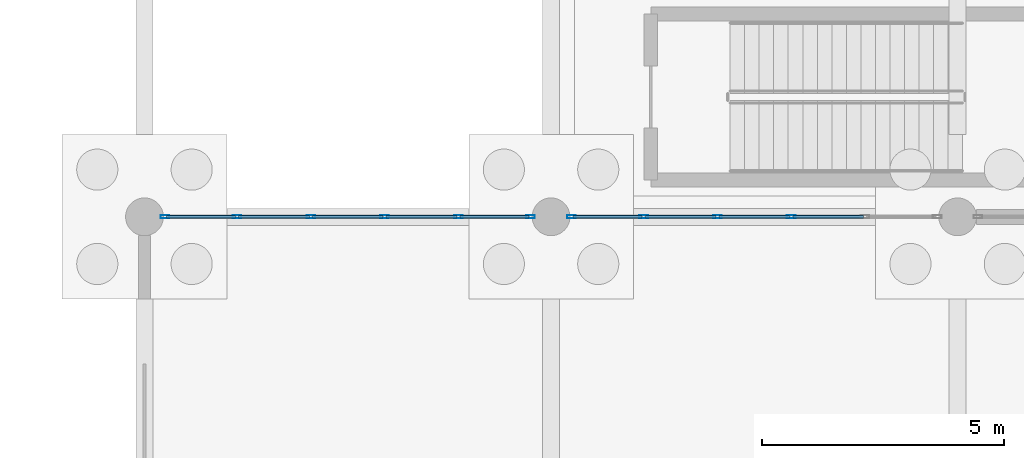
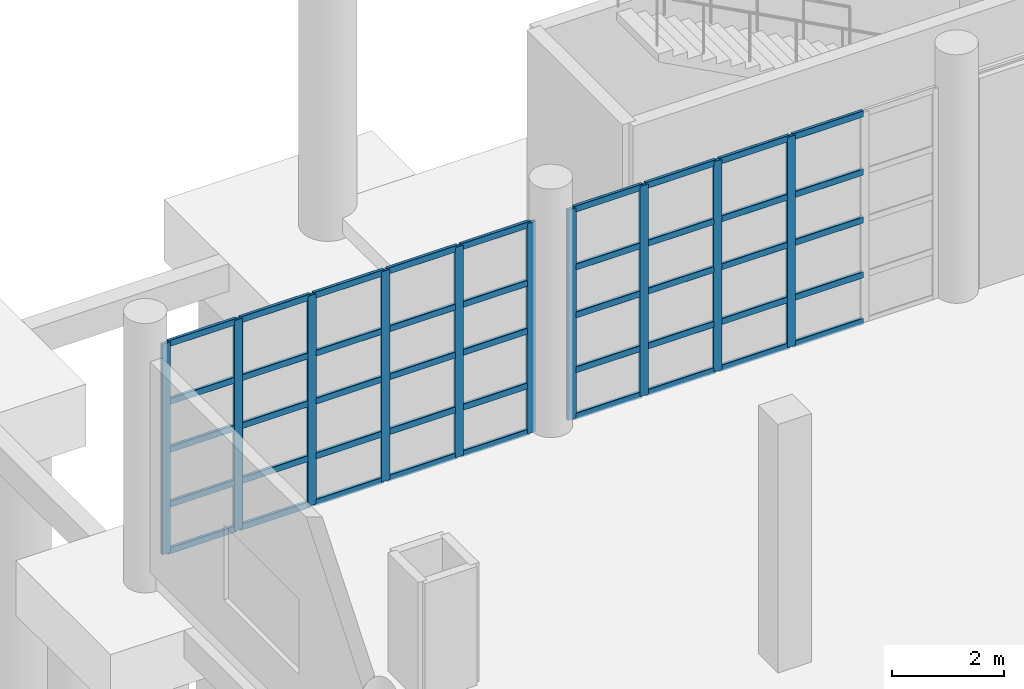
# One storey, part 34 of 83: 55 members, 2 elements without a shape of their own.
"""IFC4 building model written with IfcOpenShell, lengths in metres."""

from ifc_helpers import new_model, si_unit, direction, frame, origin, origin_2d, place, context, subcontext, project, spatial, hollow_rectangle, extrude, material, layer, layer_set, material_profile, profile_set, type_object, element, aggregate, save


model = new_model("IFC4")

# Units and contexts
model_context = context("Model", 3, precision=1e-05, world=origin(), true_north=direction((0.0, 1.0)))
body_context = subcontext(model_context, "Body", "Model", "MODEL_VIEW")
ifc_project = project(units=[si_unit("LENGTHUNIT", "METRE"), si_unit("AREAUNIT", "SQUARE_METRE"), si_unit("VOLUMEUNIT", "CUBIC_METRE"), si_unit("PLANEANGLEUNIT", "RADIAN"), si_unit("MASSUNIT", "GRAM", prefix="KILO"), si_unit("THERMODYNAMICTEMPERATUREUNIT", "KELVIN"), si_unit("POWERUNIT", "WATT")], contexts=[model_context])

# Site, building, storey
site_placement = place(None, origin())
site = spatial("IfcSite", under=ifc_project, at=site_placement, CompositionType="ELEMENT")
building_placement = place(site_placement, origin())
building = spatial("IfcBuilding", under=site, at=building_placement, Name="Mavoryth Pier Ferry Terminal", CompositionType="ELEMENT")
storey_placement = place(building_placement, origin())
storey = spatial("IfcBuildingStorey", under=building, at=storey_placement, Name="L00", CompositionType="ELEMENT", Elevation=0.0)

# Curtain wall, members
ifc_material_1 = material(Name="Anodised Aluminium and Solar-Control Low-E Glass", Category="aluminium")
ifc_layer = layer(ifc_material_1, 0.159912109375, Name="Anodised Aluminium and Solar-Control Low-E Glass", Category="aluminium")
ifc_layer_set = layer_set([ifc_layer], Name="Anodised Aluminium and Solar-Control Low-E Glass - CW-Arrivals-Mod1400")
curtain_wall_type = type_object("IfcCurtainWallType", Name="CW-Arrivals-Mod1400", PredefinedType="USERDEFINED", material=ifc_layer_set)
curtain_wall_1_placement = place(storey_placement, origin())
curtain_wall_1 = element("IfcCurtainWall", 1, at=curtain_wall_1_placement, inside=storey, type_object=curtain_wall_type, Name="Curtain Wall CW-0033-051", ObjectType="UNITISED CURTAIN WALL", PredefinedType="USERDEFINED")
ifc_material_2 = material(Name="Anodised Aluminium EN AW-6063", Category="aluminium")
ifc_material_profile_1 = material_profile(ifc_material_2, hollow_rectangle(XDim=0.06494140625, YDim=0.179931640625, WallThickness=0.00390625, InnerFilletRadius=0.00390625, OuterFilletRadius=0.008056640625, at=origin_2d()), Name="AL-MULL 180x65x4", Category="aluminium")
ifc_profile_set_1 = profile_set([ifc_material_profile_1], Name="Anodised Aluminium EN AW-6063 - AL-MULL 180x65x4")
member_type_1 = type_object("IfcMemberType", Name="Mullion-Alum-180x65", PredefinedType="MULLION", material=ifc_profile_set_1)
member_1_placement = place(storey_placement, frame((58.37744140625, 106.0, 0.0), z_axis=(0.0, 0.0, 1.0), x_axis=(0.0, -1.0, 0.0)))
member_1 = element("IfcMember", 2, at=member_1_placement, type_object=member_type_1, Name="CW04 mullion 1", PredefinedType="MULLION", context=body_context, shape_type="SweptSolid", body=[
    extrude(hollow_rectangle(XDim=0.06494140625, YDim=0.179931640625, WallThickness=0.00390625, InnerFilletRadius=0.00390625, OuterFilletRadius=0.008056640625, at=origin_2d()), origin(), (0.0, 0.0, 1.0), 4.60498046875),
])
member_2_placement = place(storey_placement, frame((56.885986328125, 106.0, 0.0), z_axis=(0.0, 0.0, 1.0), x_axis=(0.0, -1.0, 0.0)))
member_2 = element("IfcMember", 3, at=member_2_placement, type_object=member_type_1, Name="CW04 mullion 2", PredefinedType="MULLION", context=body_context, shape_type="SweptSolid", body=[
    extrude(hollow_rectangle(XDim=0.06494140625, YDim=0.179931640625, WallThickness=0.00390625, InnerFilletRadius=0.00390625, OuterFilletRadius=0.008056640625, at=origin_2d()), origin(), (0.0, 0.0, 1.0), 4.60498046875),
])
member_3_placement = place(storey_placement, frame((55.362060546875, 106.0, 0.0), z_axis=(0.0, 0.0, 1.0), x_axis=(0.0, -1.0, 0.0)))
member_3 = element("IfcMember", 4, at=member_3_placement, type_object=member_type_1, Name="CW04 mullion 3", PredefinedType="MULLION", context=body_context, shape_type="SweptSolid", body=[
    extrude(hollow_rectangle(XDim=0.06494140625, YDim=0.179931640625, WallThickness=0.00390625, InnerFilletRadius=0.00390625, OuterFilletRadius=0.008056640625, at=origin_2d()), origin(), (0.0, 0.0, 1.0), 4.60498046875),
])
member_4_placement = place(storey_placement, frame((53.837890625, 106.0, 0.0), z_axis=(0.0, 0.0, 1.0), x_axis=(0.0, -1.0, 0.0)))
member_4 = element("IfcMember", 5, at=member_4_placement, type_object=member_type_1, Name="CW04 mullion 4", PredefinedType="MULLION", context=body_context, shape_type="SweptSolid", body=[
    extrude(hollow_rectangle(XDim=0.06494140625, YDim=0.179931640625, WallThickness=0.00390625, InnerFilletRadius=0.00390625, OuterFilletRadius=0.008056640625, at=origin_2d()), origin(), (0.0, 0.0, 1.0), 4.60498046875),
])
member_5_placement = place(storey_placement, frame((52.31396484375, 106.0, 0.0), z_axis=(0.0, 0.0, 1.0), x_axis=(0.0, -1.0, 0.0)))
member_5 = element("IfcMember", 6, at=member_5_placement, type_object=member_type_1, Name="CW04 mullion 5", PredefinedType="MULLION", context=body_context, shape_type="SweptSolid", body=[
    extrude(hollow_rectangle(XDim=0.06494140625, YDim=0.179931640625, WallThickness=0.00390625, InnerFilletRadius=0.00390625, OuterFilletRadius=0.008056640625, at=origin_2d()), origin(), (0.0, 0.0, 1.0), 4.60498046875),
])
member_6_placement = place(storey_placement, frame((50.822509765625, 106.0, 0.0), z_axis=(0.0, 0.0, 1.0), x_axis=(0.0, -1.0, 0.0)))
member_6 = element("IfcMember", 7, at=member_6_placement, type_object=member_type_1, Name="CW04 mullion 6", PredefinedType="MULLION", context=body_context, shape_type="SweptSolid", body=[
    extrude(hollow_rectangle(XDim=0.06494140625, YDim=0.179931640625, WallThickness=0.00390625, InnerFilletRadius=0.00390625, OuterFilletRadius=0.008056640625, at=origin_2d()), origin(), (0.0, 0.0, 1.0), 4.60498046875),
])

curtain_wall_2_placement = place(storey_placement, origin())
curtain_wall_2 = element("IfcCurtainWall", 8, at=curtain_wall_2_placement, inside=storey, type_object=curtain_wall_type, Name="Curtain Wall CW-0033-054", ObjectType="UNITISED CURTAIN WALL", PredefinedType="USERDEFINED")
member_7_placement = place(storey_placement, frame((63.761962890625, 106.0, 0.0), z_axis=(0.0, 0.0, 1.0), x_axis=(0.0, -1.0, 0.0)))
member_7 = element("IfcMember", 9, at=member_7_placement, type_object=member_type_1, Name="CW04 mullion 3", PredefinedType="MULLION", context=body_context, shape_type="SweptSolid", body=[
    extrude(hollow_rectangle(XDim=0.06494140625, YDim=0.179931640625, WallThickness=0.00390625, InnerFilletRadius=0.00390625, OuterFilletRadius=0.008056640625, at=origin_2d()), origin(), (0.0, 0.0, 1.0), 4.60498046875),
])
member_8_placement = place(storey_placement, frame((62.238037109375, 106.0, 0.0), z_axis=(0.0, 0.0, 1.0), x_axis=(0.0, -1.0, 0.0)))
member_8 = element("IfcMember", 10, at=member_8_placement, type_object=member_type_1, Name="CW04 mullion 4", PredefinedType="MULLION", context=body_context, shape_type="SweptSolid", body=[
    extrude(hollow_rectangle(XDim=0.06494140625, YDim=0.179931640625, WallThickness=0.00390625, InnerFilletRadius=0.00390625, OuterFilletRadius=0.008056640625, at=origin_2d()), origin(), (0.0, 0.0, 1.0), 4.60498046875),
])
member_9_placement = place(storey_placement, frame((60.714111328125, 106.0, 0.0), z_axis=(0.0, 0.0, 1.0), x_axis=(0.0, -1.0, 0.0)))
member_9 = element("IfcMember", 11, at=member_9_placement, type_object=member_type_1, Name="CW04 mullion 5", PredefinedType="MULLION", context=body_context, shape_type="SweptSolid", body=[
    extrude(hollow_rectangle(XDim=0.06494140625, YDim=0.179931640625, WallThickness=0.00390625, InnerFilletRadius=0.00390625, OuterFilletRadius=0.008056640625, at=origin_2d()), origin(), (0.0, 0.0, 1.0), 4.60498046875),
])
member_10_placement = place(storey_placement, frame((59.222412109375, 106.0, 0.0), z_axis=(0.0, 0.0, 1.0), x_axis=(0.0, -1.0, 0.0)))
member_10 = element("IfcMember", 12, at=member_10_placement, type_object=member_type_1, Name="CW04 mullion 6", PredefinedType="MULLION", context=body_context, shape_type="SweptSolid", body=[
    extrude(hollow_rectangle(XDim=0.06494140625, YDim=0.179931640625, WallThickness=0.00390625, InnerFilletRadius=0.00390625, OuterFilletRadius=0.008056640625, at=origin_2d()), origin(), (0.0, 0.0, 1.0), 4.60498046875),
])

# Member
ifc_material_profile_2 = material_profile(ifc_material_2, hollow_rectangle(XDim=0.06494140625, YDim=0.139892578125, WallThickness=0.00390625, InnerFilletRadius=0.00390625, OuterFilletRadius=0.008056640625, at=origin_2d()), Name="AL-TRAN 140x65x4", Category="aluminium")
ifc_profile_set_2 = profile_set([ifc_material_profile_2], Name="Anodised Aluminium EN AW-6063 - AL-TRAN 140x65x4")
member_type_2 = type_object("IfcMemberType", Name="Transom-Alum-140x65", PredefinedType="USERDEFINED", material=ifc_profile_set_2)
member_11_placement = place(storey_placement, frame((58.344970703125, 106.0, 0.032470703125), z_axis=(-1.0, 0.0, 0.0), x_axis=(0.0, -1.0, 0.0)))
member_11 = element("IfcMember", 13, at=member_11_placement, type_object=member_type_2, Name="CW04 transom 1.1", ObjectType="TRANSOM", PredefinedType="USERDEFINED", context=body_context, shape_type="SweptSolid", body=[
    extrude(hollow_rectangle(XDim=0.06494140625, YDim=0.139892578125, WallThickness=0.00390625, InnerFilletRadius=0.00390625, OuterFilletRadius=0.008056640625, at=origin_2d()), origin(), (0.0, 0.0, 1.0), 1.426513671875),
])

member_12_placement = place(storey_placement, frame((58.344970703125, 106.0, 1.050048828125), z_axis=(-1.0, 0.0, 0.0), x_axis=(0.0, -1.0, 0.0)))
member_12 = element("IfcMember", 14, at=member_12_placement, type_object=member_type_2, Name="CW04 transom 1.2", ObjectType="TRANSOM", PredefinedType="USERDEFINED", context=body_context, shape_type="SweptSolid", body=[
    extrude(hollow_rectangle(XDim=0.06494140625, YDim=0.139892578125, WallThickness=0.00390625, InnerFilletRadius=0.00390625, OuterFilletRadius=0.008056640625, at=origin_2d()), origin(), (0.0, 0.0, 1.0), 1.426513671875),
])

member_13_placement = place(storey_placement, frame((58.344970703125, 106.0, 2.25), z_axis=(-1.0, 0.0, 0.0), x_axis=(0.0, -1.0, 0.0)))
member_13 = element("IfcMember", 15, at=member_13_placement, type_object=member_type_2, Name="CW04 transom 1.3", ObjectType="TRANSOM", PredefinedType="USERDEFINED", context=body_context, shape_type="SweptSolid", body=[
    extrude(hollow_rectangle(XDim=0.06494140625, YDim=0.139892578125, WallThickness=0.00390625, InnerFilletRadius=0.00390625, OuterFilletRadius=0.008056640625, at=origin_2d()), origin(), (0.0, 0.0, 1.0), 1.426513671875),
])

member_14_placement = place(storey_placement, frame((58.344970703125, 106.0, 3.300048828125), z_axis=(-1.0, 0.0, 0.0), x_axis=(0.0, -1.0, 0.0)))
member_14 = element("IfcMember", 16, at=member_14_placement, type_object=member_type_2, Name="CW04 transom 1.4", ObjectType="TRANSOM", PredefinedType="USERDEFINED", context=body_context, shape_type="SweptSolid", body=[
    extrude(hollow_rectangle(XDim=0.06494140625, YDim=0.139892578125, WallThickness=0.00390625, InnerFilletRadius=0.00390625, OuterFilletRadius=0.008056640625, at=origin_2d()), origin(), (0.0, 0.0, 1.0), 1.426513671875),
])

member_15_placement = place(storey_placement, frame((58.344970703125, 106.0, 4.572509765625), z_axis=(-1.0, 0.0, 0.0), x_axis=(0.0, -1.0, 0.0)))
member_15 = element("IfcMember", 17, at=member_15_placement, type_object=member_type_2, Name="CW04 transom 1.5", ObjectType="TRANSOM", PredefinedType="USERDEFINED", context=body_context, shape_type="SweptSolid", body=[
    extrude(hollow_rectangle(XDim=0.06494140625, YDim=0.139892578125, WallThickness=0.00390625, InnerFilletRadius=0.00390625, OuterFilletRadius=0.008056640625, at=origin_2d()), origin(), (0.0, 0.0, 1.0), 1.426513671875),
])

member_16_placement = place(storey_placement, frame((56.853515625, 106.0, 0.032470703125), z_axis=(-1.0, 0.0, 0.0), x_axis=(0.0, -1.0, 0.0)))
member_16 = element("IfcMember", 18, at=member_16_placement, type_object=member_type_2, Name="CW04 transom 2.1", ObjectType="TRANSOM", PredefinedType="USERDEFINED", context=body_context, shape_type="SweptSolid", body=[
    extrude(hollow_rectangle(XDim=0.06494140625, YDim=0.139892578125, WallThickness=0.00390625, InnerFilletRadius=0.00390625, OuterFilletRadius=0.008056640625, at=origin_2d()), origin(), (0.0, 0.0, 1.0), 1.458984375),
])

member_17_placement = place(storey_placement, frame((56.853515625, 106.0, 1.050048828125), z_axis=(-1.0, 0.0, 0.0), x_axis=(0.0, -1.0, 0.0)))
member_17 = element("IfcMember", 19, at=member_17_placement, type_object=member_type_2, Name="CW04 transom 2.2", ObjectType="TRANSOM", PredefinedType="USERDEFINED", context=body_context, shape_type="SweptSolid", body=[
    extrude(hollow_rectangle(XDim=0.06494140625, YDim=0.139892578125, WallThickness=0.00390625, InnerFilletRadius=0.00390625, OuterFilletRadius=0.008056640625, at=origin_2d()), origin(), (0.0, 0.0, 1.0), 1.458984375),
])

member_18_placement = place(storey_placement, frame((56.853515625, 106.0, 2.25), z_axis=(-1.0, 0.0, 0.0), x_axis=(0.0, -1.0, 0.0)))
member_18 = element("IfcMember", 20, at=member_18_placement, type_object=member_type_2, Name="CW04 transom 2.3", ObjectType="TRANSOM", PredefinedType="USERDEFINED", context=body_context, shape_type="SweptSolid", body=[
    extrude(hollow_rectangle(XDim=0.06494140625, YDim=0.139892578125, WallThickness=0.00390625, InnerFilletRadius=0.00390625, OuterFilletRadius=0.008056640625, at=origin_2d()), origin(), (0.0, 0.0, 1.0), 1.458984375),
])

member_19_placement = place(storey_placement, frame((56.853515625, 106.0, 3.300048828125), z_axis=(-1.0, 0.0, 0.0), x_axis=(0.0, -1.0, 0.0)))
member_19 = element("IfcMember", 21, at=member_19_placement, type_object=member_type_2, Name="CW04 transom 2.4", ObjectType="TRANSOM", PredefinedType="USERDEFINED", context=body_context, shape_type="SweptSolid", body=[
    extrude(hollow_rectangle(XDim=0.06494140625, YDim=0.139892578125, WallThickness=0.00390625, InnerFilletRadius=0.00390625, OuterFilletRadius=0.008056640625, at=origin_2d()), origin(), (0.0, 0.0, 1.0), 1.458984375),
])

member_20_placement = place(storey_placement, frame((56.853515625, 106.0, 4.572509765625), z_axis=(-1.0, 0.0, 0.0), x_axis=(0.0, -1.0, 0.0)))
member_20 = element("IfcMember", 22, at=member_20_placement, type_object=member_type_2, Name="CW04 transom 2.5", ObjectType="TRANSOM", PredefinedType="USERDEFINED", context=body_context, shape_type="SweptSolid", body=[
    extrude(hollow_rectangle(XDim=0.06494140625, YDim=0.139892578125, WallThickness=0.00390625, InnerFilletRadius=0.00390625, OuterFilletRadius=0.008056640625, at=origin_2d()), origin(), (0.0, 0.0, 1.0), 1.458984375),
])

member_21_placement = place(storey_placement, frame((55.32958984375, 106.0, 0.032470703125), z_axis=(-1.0, 0.0, 0.0), x_axis=(0.0, -1.0, 0.0)))
member_21 = element("IfcMember", 23, at=member_21_placement, type_object=member_type_2, Name="CW04 transom 3.1", ObjectType="TRANSOM", PredefinedType="USERDEFINED", context=body_context, shape_type="SweptSolid", body=[
    extrude(hollow_rectangle(XDim=0.06494140625, YDim=0.139892578125, WallThickness=0.00390625, InnerFilletRadius=0.00390625, OuterFilletRadius=0.008056640625, at=origin_2d()), origin(), (0.0, 0.0, 1.0), 1.458984375),
])

member_22_placement = place(storey_placement, frame((55.32958984375, 106.0, 1.050048828125), z_axis=(-1.0, 0.0, 0.0), x_axis=(0.0, -1.0, 0.0)))
member_22 = element("IfcMember", 24, at=member_22_placement, type_object=member_type_2, Name="CW04 transom 3.2", ObjectType="TRANSOM", PredefinedType="USERDEFINED", context=body_context, shape_type="SweptSolid", body=[
    extrude(hollow_rectangle(XDim=0.06494140625, YDim=0.139892578125, WallThickness=0.00390625, InnerFilletRadius=0.00390625, OuterFilletRadius=0.008056640625, at=origin_2d()), origin(), (0.0, 0.0, 1.0), 1.458984375),
])

member_23_placement = place(storey_placement, frame((55.32958984375, 106.0, 2.25), z_axis=(-1.0, 0.0, 0.0), x_axis=(0.0, -1.0, 0.0)))
member_23 = element("IfcMember", 25, at=member_23_placement, type_object=member_type_2, Name="CW04 transom 3.3", ObjectType="TRANSOM", PredefinedType="USERDEFINED", context=body_context, shape_type="SweptSolid", body=[
    extrude(hollow_rectangle(XDim=0.06494140625, YDim=0.139892578125, WallThickness=0.00390625, InnerFilletRadius=0.00390625, OuterFilletRadius=0.008056640625, at=origin_2d()), origin(), (0.0, 0.0, 1.0), 1.458984375),
])

member_24_placement = place(storey_placement, frame((55.32958984375, 106.0, 3.300048828125), z_axis=(-1.0, 0.0, 0.0), x_axis=(0.0, -1.0, 0.0)))
member_24 = element("IfcMember", 26, at=member_24_placement, type_object=member_type_2, Name="CW04 transom 3.4", ObjectType="TRANSOM", PredefinedType="USERDEFINED", context=body_context, shape_type="SweptSolid", body=[
    extrude(hollow_rectangle(XDim=0.06494140625, YDim=0.139892578125, WallThickness=0.00390625, InnerFilletRadius=0.00390625, OuterFilletRadius=0.008056640625, at=origin_2d()), origin(), (0.0, 0.0, 1.0), 1.458984375),
])

member_25_placement = place(storey_placement, frame((55.32958984375, 106.0, 4.572509765625), z_axis=(-1.0, 0.0, 0.0), x_axis=(0.0, -1.0, 0.0)))
member_25 = element("IfcMember", 27, at=member_25_placement, type_object=member_type_2, Name="CW04 transom 3.5", ObjectType="TRANSOM", PredefinedType="USERDEFINED", context=body_context, shape_type="SweptSolid", body=[
    extrude(hollow_rectangle(XDim=0.06494140625, YDim=0.139892578125, WallThickness=0.00390625, InnerFilletRadius=0.00390625, OuterFilletRadius=0.008056640625, at=origin_2d()), origin(), (0.0, 0.0, 1.0), 1.458984375),
])

member_26_placement = place(storey_placement, frame((53.805419921875, 106.0, 0.032470703125), z_axis=(-1.0, 0.0, 0.0), x_axis=(0.0, -1.0, 0.0)))
member_26 = element("IfcMember", 28, at=member_26_placement, type_object=member_type_2, Name="CW04 transom 4.1", ObjectType="TRANSOM", PredefinedType="USERDEFINED", context=body_context, shape_type="SweptSolid", body=[
    extrude(hollow_rectangle(XDim=0.06494140625, YDim=0.139892578125, WallThickness=0.00390625, InnerFilletRadius=0.00390625, OuterFilletRadius=0.008056640625, at=origin_2d()), origin(), (0.0, 0.0, 1.0), 1.458984375),
])

member_27_placement = place(storey_placement, frame((53.805419921875, 106.0, 1.050048828125), z_axis=(-1.0, 0.0, 0.0), x_axis=(0.0, -1.0, 0.0)))
member_27 = element("IfcMember", 29, at=member_27_placement, type_object=member_type_2, Name="CW04 transom 4.2", ObjectType="TRANSOM", PredefinedType="USERDEFINED", context=body_context, shape_type="SweptSolid", body=[
    extrude(hollow_rectangle(XDim=0.06494140625, YDim=0.139892578125, WallThickness=0.00390625, InnerFilletRadius=0.00390625, OuterFilletRadius=0.008056640625, at=origin_2d()), origin(), (0.0, 0.0, 1.0), 1.458984375),
])

member_28_placement = place(storey_placement, frame((53.805419921875, 106.0, 2.25), z_axis=(-1.0, 0.0, 0.0), x_axis=(0.0, -1.0, 0.0)))
member_28 = element("IfcMember", 30, at=member_28_placement, type_object=member_type_2, Name="CW04 transom 4.3", ObjectType="TRANSOM", PredefinedType="USERDEFINED", context=body_context, shape_type="SweptSolid", body=[
    extrude(hollow_rectangle(XDim=0.06494140625, YDim=0.139892578125, WallThickness=0.00390625, InnerFilletRadius=0.00390625, OuterFilletRadius=0.008056640625, at=origin_2d()), origin(), (0.0, 0.0, 1.0), 1.458984375),
])

member_29_placement = place(storey_placement, frame((53.805419921875, 106.0, 3.300048828125), z_axis=(-1.0, 0.0, 0.0), x_axis=(0.0, -1.0, 0.0)))
member_29 = element("IfcMember", 31, at=member_29_placement, type_object=member_type_2, Name="CW04 transom 4.4", ObjectType="TRANSOM", PredefinedType="USERDEFINED", context=body_context, shape_type="SweptSolid", body=[
    extrude(hollow_rectangle(XDim=0.06494140625, YDim=0.139892578125, WallThickness=0.00390625, InnerFilletRadius=0.00390625, OuterFilletRadius=0.008056640625, at=origin_2d()), origin(), (0.0, 0.0, 1.0), 1.458984375),
])

member_30_placement = place(storey_placement, frame((53.805419921875, 106.0, 4.572509765625), z_axis=(-1.0, 0.0, 0.0), x_axis=(0.0, -1.0, 0.0)))
member_30 = element("IfcMember", 32, at=member_30_placement, type_object=member_type_2, Name="CW04 transom 4.5", ObjectType="TRANSOM", PredefinedType="USERDEFINED", context=body_context, shape_type="SweptSolid", body=[
    extrude(hollow_rectangle(XDim=0.06494140625, YDim=0.139892578125, WallThickness=0.00390625, InnerFilletRadius=0.00390625, OuterFilletRadius=0.008056640625, at=origin_2d()), origin(), (0.0, 0.0, 1.0), 1.458984375),
])

member_31_placement = place(storey_placement, frame((52.281494140625, 106.0, 0.032470703125), z_axis=(-1.0, 0.0, 0.0), x_axis=(0.0, -1.0, 0.0)))
member_31 = element("IfcMember", 33, at=member_31_placement, type_object=member_type_2, Name="CW04 transom 5.1", ObjectType="TRANSOM", PredefinedType="USERDEFINED", context=body_context, shape_type="SweptSolid", body=[
    extrude(hollow_rectangle(XDim=0.06494140625, YDim=0.139892578125, WallThickness=0.00390625, InnerFilletRadius=0.00390625, OuterFilletRadius=0.008056640625, at=origin_2d()), origin(), (0.0, 0.0, 1.0), 1.426513671875),
])

member_32_placement = place(storey_placement, frame((52.281494140625, 106.0, 1.050048828125), z_axis=(-1.0, 0.0, 0.0), x_axis=(0.0, -1.0, 0.0)))
member_32 = element("IfcMember", 34, at=member_32_placement, type_object=member_type_2, Name="CW04 transom 5.2", ObjectType="TRANSOM", PredefinedType="USERDEFINED", context=body_context, shape_type="SweptSolid", body=[
    extrude(hollow_rectangle(XDim=0.06494140625, YDim=0.139892578125, WallThickness=0.00390625, InnerFilletRadius=0.00390625, OuterFilletRadius=0.008056640625, at=origin_2d()), origin(), (0.0, 0.0, 1.0), 1.426513671875),
])

member_33_placement = place(storey_placement, frame((52.281494140625, 106.0, 2.25), z_axis=(-1.0, 0.0, 0.0), x_axis=(0.0, -1.0, 0.0)))
member_33 = element("IfcMember", 35, at=member_33_placement, type_object=member_type_2, Name="CW04 transom 5.3", ObjectType="TRANSOM", PredefinedType="USERDEFINED", context=body_context, shape_type="SweptSolid", body=[
    extrude(hollow_rectangle(XDim=0.06494140625, YDim=0.139892578125, WallThickness=0.00390625, InnerFilletRadius=0.00390625, OuterFilletRadius=0.008056640625, at=origin_2d()), origin(), (0.0, 0.0, 1.0), 1.426513671875),
])

member_34_placement = place(storey_placement, frame((52.281494140625, 106.0, 3.300048828125), z_axis=(-1.0, 0.0, 0.0), x_axis=(0.0, -1.0, 0.0)))
member_34 = element("IfcMember", 36, at=member_34_placement, type_object=member_type_2, Name="CW04 transom 5.4", ObjectType="TRANSOM", PredefinedType="USERDEFINED", context=body_context, shape_type="SweptSolid", body=[
    extrude(hollow_rectangle(XDim=0.06494140625, YDim=0.139892578125, WallThickness=0.00390625, InnerFilletRadius=0.00390625, OuterFilletRadius=0.008056640625, at=origin_2d()), origin(), (0.0, 0.0, 1.0), 1.426513671875),
])

member_35_placement = place(storey_placement, frame((52.281494140625, 106.0, 4.572509765625), z_axis=(-1.0, 0.0, 0.0), x_axis=(0.0, -1.0, 0.0)))
member_35 = element("IfcMember", 37, at=member_35_placement, type_object=member_type_2, Name="CW04 transom 5.5", ObjectType="TRANSOM", PredefinedType="USERDEFINED", context=body_context, shape_type="SweptSolid", body=[
    extrude(hollow_rectangle(XDim=0.06494140625, YDim=0.139892578125, WallThickness=0.00390625, InnerFilletRadius=0.00390625, OuterFilletRadius=0.008056640625, at=origin_2d()), origin(), (0.0, 0.0, 1.0), 1.426513671875),
])

aggregate(curtain_wall_1, [member_1, member_2, member_3, member_4, member_5, member_6, member_11, member_12, member_13, member_14, member_15, member_16, member_17, member_18, member_19, member_20, member_21, member_22, member_23, member_24, member_25, member_26, member_27, member_28, member_29, member_30, member_31, member_32, member_33, member_34, member_35])

member_36_placement = place(storey_placement, frame((65.25341796875, 106.0, 0.032470703125), z_axis=(-1.0, 0.0, 0.0), x_axis=(0.0, -1.0, 0.0)))
member_36 = element("IfcMember", 38, at=member_36_placement, type_object=member_type_2, Name="CW04 transom 2.1", ObjectType="TRANSOM", PredefinedType="USERDEFINED", context=body_context, shape_type="SweptSolid", body=[
    extrude(hollow_rectangle(XDim=0.06494140625, YDim=0.139892578125, WallThickness=0.00390625, InnerFilletRadius=0.00390625, OuterFilletRadius=0.008056640625, at=origin_2d()), origin(), (0.0, 0.0, 1.0), 1.458984375),
])

member_37_placement = place(storey_placement, frame((65.25341796875, 106.0, 1.050048828125), z_axis=(-1.0, 0.0, 0.0), x_axis=(0.0, -1.0, 0.0)))
member_37 = element("IfcMember", 39, at=member_37_placement, type_object=member_type_2, Name="CW04 transom 2.2", ObjectType="TRANSOM", PredefinedType="USERDEFINED", context=body_context, shape_type="SweptSolid", body=[
    extrude(hollow_rectangle(XDim=0.06494140625, YDim=0.139892578125, WallThickness=0.00390625, InnerFilletRadius=0.00390625, OuterFilletRadius=0.008056640625, at=origin_2d()), origin(), (0.0, 0.0, 1.0), 1.458984375),
])

member_38_placement = place(storey_placement, frame((65.25341796875, 106.0, 2.25), z_axis=(-1.0, 0.0, 0.0), x_axis=(0.0, -1.0, 0.0)))
member_38 = element("IfcMember", 40, at=member_38_placement, type_object=member_type_2, Name="CW04 transom 2.3", ObjectType="TRANSOM", PredefinedType="USERDEFINED", context=body_context, shape_type="SweptSolid", body=[
    extrude(hollow_rectangle(XDim=0.06494140625, YDim=0.139892578125, WallThickness=0.00390625, InnerFilletRadius=0.00390625, OuterFilletRadius=0.008056640625, at=origin_2d()), origin(), (0.0, 0.0, 1.0), 1.458984375),
])

member_39_placement = place(storey_placement, frame((65.25341796875, 106.0, 3.300048828125), z_axis=(-1.0, 0.0, 0.0), x_axis=(0.0, -1.0, 0.0)))
member_39 = element("IfcMember", 41, at=member_39_placement, type_object=member_type_2, Name="CW04 transom 2.4", ObjectType="TRANSOM", PredefinedType="USERDEFINED", context=body_context, shape_type="SweptSolid", body=[
    extrude(hollow_rectangle(XDim=0.06494140625, YDim=0.139892578125, WallThickness=0.00390625, InnerFilletRadius=0.00390625, OuterFilletRadius=0.008056640625, at=origin_2d()), origin(), (0.0, 0.0, 1.0), 1.458984375),
])

member_40_placement = place(storey_placement, frame((65.25341796875, 106.0, 4.572509765625), z_axis=(-1.0, 0.0, 0.0), x_axis=(0.0, -1.0, 0.0)))
member_40 = element("IfcMember", 42, at=member_40_placement, type_object=member_type_2, Name="CW04 transom 2.5", ObjectType="TRANSOM", PredefinedType="USERDEFINED", context=body_context, shape_type="SweptSolid", body=[
    extrude(hollow_rectangle(XDim=0.06494140625, YDim=0.139892578125, WallThickness=0.00390625, InnerFilletRadius=0.00390625, OuterFilletRadius=0.008056640625, at=origin_2d()), origin(), (0.0, 0.0, 1.0), 1.458984375),
])

member_41_placement = place(storey_placement, frame((63.7294921875, 106.0, 0.032470703125), z_axis=(-1.0, 0.0, 0.0), x_axis=(0.0, -1.0, 0.0)))
member_41 = element("IfcMember", 43, at=member_41_placement, type_object=member_type_2, Name="CW04 transom 3.1", ObjectType="TRANSOM", PredefinedType="USERDEFINED", context=body_context, shape_type="SweptSolid", body=[
    extrude(hollow_rectangle(XDim=0.06494140625, YDim=0.139892578125, WallThickness=0.00390625, InnerFilletRadius=0.00390625, OuterFilletRadius=0.008056640625, at=origin_2d()), origin(), (0.0, 0.0, 1.0), 1.458984375),
])

member_42_placement = place(storey_placement, frame((63.7294921875, 106.0, 1.050048828125), z_axis=(-1.0, 0.0, 0.0), x_axis=(0.0, -1.0, 0.0)))
member_42 = element("IfcMember", 44, at=member_42_placement, type_object=member_type_2, Name="CW04 transom 3.2", ObjectType="TRANSOM", PredefinedType="USERDEFINED", context=body_context, shape_type="SweptSolid", body=[
    extrude(hollow_rectangle(XDim=0.06494140625, YDim=0.139892578125, WallThickness=0.00390625, InnerFilletRadius=0.00390625, OuterFilletRadius=0.008056640625, at=origin_2d()), origin(), (0.0, 0.0, 1.0), 1.458984375),
])

member_43_placement = place(storey_placement, frame((63.7294921875, 106.0, 2.25), z_axis=(-1.0, 0.0, 0.0), x_axis=(0.0, -1.0, 0.0)))
member_43 = element("IfcMember", 45, at=member_43_placement, type_object=member_type_2, Name="CW04 transom 3.3", ObjectType="TRANSOM", PredefinedType="USERDEFINED", context=body_context, shape_type="SweptSolid", body=[
    extrude(hollow_rectangle(XDim=0.06494140625, YDim=0.139892578125, WallThickness=0.00390625, InnerFilletRadius=0.00390625, OuterFilletRadius=0.008056640625, at=origin_2d()), origin(), (0.0, 0.0, 1.0), 1.458984375),
])

member_44_placement = place(storey_placement, frame((63.7294921875, 106.0, 3.300048828125), z_axis=(-1.0, 0.0, 0.0), x_axis=(0.0, -1.0, 0.0)))
member_44 = element("IfcMember", 46, at=member_44_placement, type_object=member_type_2, Name="CW04 transom 3.4", ObjectType="TRANSOM", PredefinedType="USERDEFINED", context=body_context, shape_type="SweptSolid", body=[
    extrude(hollow_rectangle(XDim=0.06494140625, YDim=0.139892578125, WallThickness=0.00390625, InnerFilletRadius=0.00390625, OuterFilletRadius=0.008056640625, at=origin_2d()), origin(), (0.0, 0.0, 1.0), 1.458984375),
])

member_45_placement = place(storey_placement, frame((63.7294921875, 106.0, 4.572509765625), z_axis=(-1.0, 0.0, 0.0), x_axis=(0.0, -1.0, 0.0)))
member_45 = element("IfcMember", 47, at=member_45_placement, type_object=member_type_2, Name="CW04 transom 3.5", ObjectType="TRANSOM", PredefinedType="USERDEFINED", context=body_context, shape_type="SweptSolid", body=[
    extrude(hollow_rectangle(XDim=0.06494140625, YDim=0.139892578125, WallThickness=0.00390625, InnerFilletRadius=0.00390625, OuterFilletRadius=0.008056640625, at=origin_2d()), origin(), (0.0, 0.0, 1.0), 1.458984375),
])

member_46_placement = place(storey_placement, frame((62.20556640625, 106.0, 0.032470703125), z_axis=(-1.0, 0.0, 0.0), x_axis=(0.0, -1.0, 0.0)))
member_46 = element("IfcMember", 48, at=member_46_placement, type_object=member_type_2, Name="CW04 transom 4.1", ObjectType="TRANSOM", PredefinedType="USERDEFINED", context=body_context, shape_type="SweptSolid", body=[
    extrude(hollow_rectangle(XDim=0.06494140625, YDim=0.139892578125, WallThickness=0.00390625, InnerFilletRadius=0.00390625, OuterFilletRadius=0.008056640625, at=origin_2d()), origin(), (0.0, 0.0, 1.0), 1.458984375),
])

member_47_placement = place(storey_placement, frame((62.20556640625, 106.0, 1.050048828125), z_axis=(-1.0, 0.0, 0.0), x_axis=(0.0, -1.0, 0.0)))
member_47 = element("IfcMember", 49, at=member_47_placement, type_object=member_type_2, Name="CW04 transom 4.2", ObjectType="TRANSOM", PredefinedType="USERDEFINED", context=body_context, shape_type="SweptSolid", body=[
    extrude(hollow_rectangle(XDim=0.06494140625, YDim=0.139892578125, WallThickness=0.00390625, InnerFilletRadius=0.00390625, OuterFilletRadius=0.008056640625, at=origin_2d()), origin(), (0.0, 0.0, 1.0), 1.458984375),
])

member_48_placement = place(storey_placement, frame((62.20556640625, 106.0, 2.25), z_axis=(-1.0, 0.0, 0.0), x_axis=(0.0, -1.0, 0.0)))
member_48 = element("IfcMember", 50, at=member_48_placement, type_object=member_type_2, Name="CW04 transom 4.3", ObjectType="TRANSOM", PredefinedType="USERDEFINED", context=body_context, shape_type="SweptSolid", body=[
    extrude(hollow_rectangle(XDim=0.06494140625, YDim=0.139892578125, WallThickness=0.00390625, InnerFilletRadius=0.00390625, OuterFilletRadius=0.008056640625, at=origin_2d()), origin(), (0.0, 0.0, 1.0), 1.458984375),
])

member_49_placement = place(storey_placement, frame((62.20556640625, 106.0, 3.300048828125), z_axis=(-1.0, 0.0, 0.0), x_axis=(0.0, -1.0, 0.0)))
member_49 = element("IfcMember", 51, at=member_49_placement, type_object=member_type_2, Name="CW04 transom 4.4", ObjectType="TRANSOM", PredefinedType="USERDEFINED", context=body_context, shape_type="SweptSolid", body=[
    extrude(hollow_rectangle(XDim=0.06494140625, YDim=0.139892578125, WallThickness=0.00390625, InnerFilletRadius=0.00390625, OuterFilletRadius=0.008056640625, at=origin_2d()), origin(), (0.0, 0.0, 1.0), 1.458984375),
])

member_50_placement = place(storey_placement, frame((62.20556640625, 106.0, 4.572509765625), z_axis=(-1.0, 0.0, 0.0), x_axis=(0.0, -1.0, 0.0)))
member_50 = element("IfcMember", 52, at=member_50_placement, type_object=member_type_2, Name="CW04 transom 4.5", ObjectType="TRANSOM", PredefinedType="USERDEFINED", context=body_context, shape_type="SweptSolid", body=[
    extrude(hollow_rectangle(XDim=0.06494140625, YDim=0.139892578125, WallThickness=0.00390625, InnerFilletRadius=0.00390625, OuterFilletRadius=0.008056640625, at=origin_2d()), origin(), (0.0, 0.0, 1.0), 1.458984375),
])

member_51_placement = place(storey_placement, frame((60.681396484375, 106.0, 0.032470703125), z_axis=(-1.0, 0.0, 0.0), x_axis=(0.0, -1.0, 0.0)))
member_51 = element("IfcMember", 53, at=member_51_placement, type_object=member_type_2, Name="CW04 transom 5.1", ObjectType="TRANSOM", PredefinedType="USERDEFINED", context=body_context, shape_type="SweptSolid", body=[
    extrude(hollow_rectangle(XDim=0.06494140625, YDim=0.139892578125, WallThickness=0.00390625, InnerFilletRadius=0.00390625, OuterFilletRadius=0.008056640625, at=origin_2d()), origin(), (0.0, 0.0, 1.0), 1.426513671875),
])

member_52_placement = place(storey_placement, frame((60.681396484375, 106.0, 1.050048828125), z_axis=(-1.0, 0.0, 0.0), x_axis=(0.0, -1.0, 0.0)))
member_52 = element("IfcMember", 54, at=member_52_placement, type_object=member_type_2, Name="CW04 transom 5.2", ObjectType="TRANSOM", PredefinedType="USERDEFINED", context=body_context, shape_type="SweptSolid", body=[
    extrude(hollow_rectangle(XDim=0.06494140625, YDim=0.139892578125, WallThickness=0.00390625, InnerFilletRadius=0.00390625, OuterFilletRadius=0.008056640625, at=origin_2d()), origin(), (0.0, 0.0, 1.0), 1.426513671875),
])

member_53_placement = place(storey_placement, frame((60.681396484375, 106.0, 2.25), z_axis=(-1.0, 0.0, 0.0), x_axis=(0.0, -1.0, 0.0)))
member_53 = element("IfcMember", 55, at=member_53_placement, type_object=member_type_2, Name="CW04 transom 5.3", ObjectType="TRANSOM", PredefinedType="USERDEFINED", context=body_context, shape_type="SweptSolid", body=[
    extrude(hollow_rectangle(XDim=0.06494140625, YDim=0.139892578125, WallThickness=0.00390625, InnerFilletRadius=0.00390625, OuterFilletRadius=0.008056640625, at=origin_2d()), origin(), (0.0, 0.0, 1.0), 1.426513671875),
])

member_54_placement = place(storey_placement, frame((60.681396484375, 106.0, 3.300048828125), z_axis=(-1.0, 0.0, 0.0), x_axis=(0.0, -1.0, 0.0)))
member_54 = element("IfcMember", 56, at=member_54_placement, type_object=member_type_2, Name="CW04 transom 5.4", ObjectType="TRANSOM", PredefinedType="USERDEFINED", context=body_context, shape_type="SweptSolid", body=[
    extrude(hollow_rectangle(XDim=0.06494140625, YDim=0.139892578125, WallThickness=0.00390625, InnerFilletRadius=0.00390625, OuterFilletRadius=0.008056640625, at=origin_2d()), origin(), (0.0, 0.0, 1.0), 1.426513671875),
])

member_55_placement = place(storey_placement, frame((60.681396484375, 106.0, 4.572509765625), z_axis=(-1.0, 0.0, 0.0), x_axis=(0.0, -1.0, 0.0)))
member_55 = element("IfcMember", 57, at=member_55_placement, type_object=member_type_2, Name="CW04 transom 5.5", ObjectType="TRANSOM", PredefinedType="USERDEFINED", context=body_context, shape_type="SweptSolid", body=[
    extrude(hollow_rectangle(XDim=0.06494140625, YDim=0.139892578125, WallThickness=0.00390625, InnerFilletRadius=0.00390625, OuterFilletRadius=0.008056640625, at=origin_2d()), origin(), (0.0, 0.0, 1.0), 1.426513671875),
])

aggregate(curtain_wall_2, [member_7, member_8, member_9, member_10, member_36, member_37, member_38, member_39, member_40, member_41, member_42, member_43, member_44, member_45, member_46, member_47, member_48, member_49, member_50, member_51, member_52, member_53, member_54, member_55])

save(model, "model.ifc")
